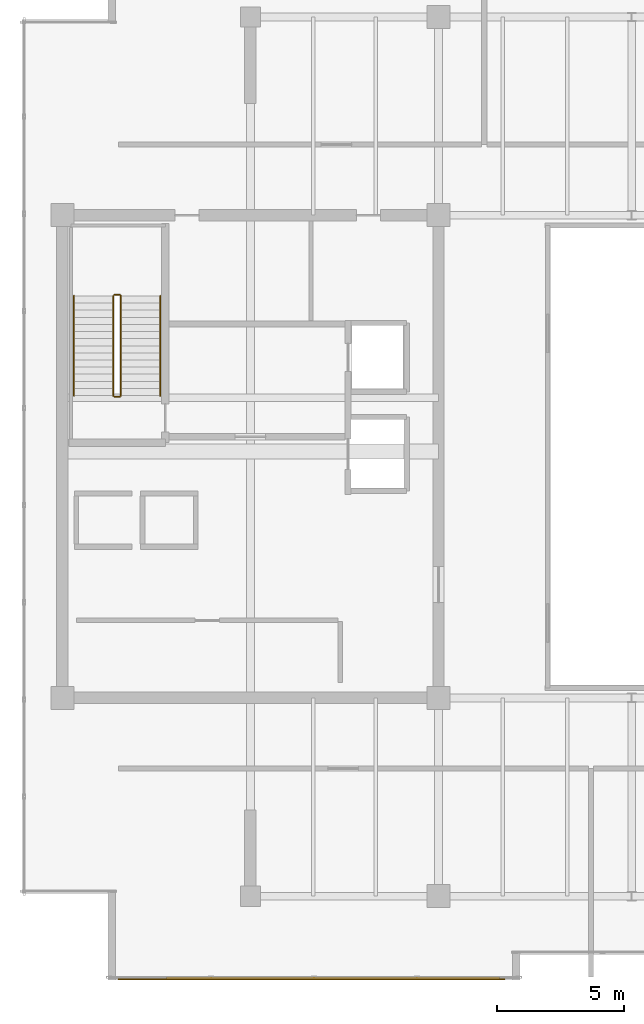
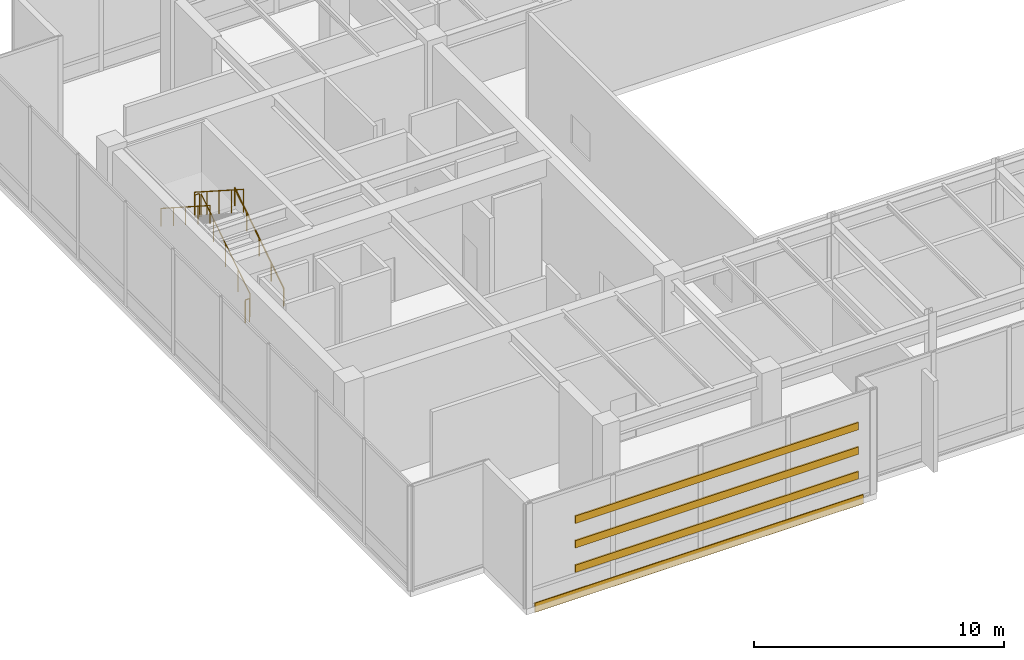
# One storey, part 28 of 30: 6 railings, 3 shading devices, 1 covering.
"""IFC4 building model written with IfcOpenShell, lengths in metres."""

from ifc_helpers import new_model, si_unit, direction, frame, frame_2d, origin, origin_2d, place, context, subcontext, project, spatial, rectangle, circle, extrude, source, transform, mapped, material, layer, layer_set, material_profile, profile_set, type_object, type_shapes, element, save


model = new_model("IFC4")

# Units and contexts
model_context = context("Model", 3, precision=1e-05, world=origin(), true_north=direction((0.0, 1.0)))
body_context = subcontext(model_context, "Body", "Model", "MODEL_VIEW")
ifc_project = project(units=[si_unit("LENGTHUNIT", "METRE"), si_unit("AREAUNIT", "SQUARE_METRE"), si_unit("VOLUMEUNIT", "CUBIC_METRE"), si_unit("PLANEANGLEUNIT", "RADIAN"), si_unit("MASSUNIT", "GRAM", prefix="KILO")], contexts=[model_context])

# Site, building, storey
site_placement = place(None, origin())
site = spatial("IfcSite", under=ifc_project, at=site_placement, CompositionType="ELEMENT")
building_placement = place(site_placement, origin())
building = spatial("IfcBuilding", under=site, at=building_placement, Name="Haelvirn Gate Laboratories", CompositionType="ELEMENT")
storey_placement = place(building_placement, frame((0.0, 0.0, 327.0)))
storey = spatial("IfcBuildingStorey", under=building, at=storey_placement, Name="L78", CompositionType="ELEMENT", Elevation=327.0)

# Covering
ifc_material_1 = material(Name="Anodised bronze honeycomb aluminium spandrel cladding", Category="aluminium")
ifc_layer = layer(ifc_material_1, 0.044921875, Name="COV-CLAD-BRZ")
ifc_layer_set = layer_set([ifc_layer], Name="Anodised bronze honeycomb aluminium spandrel cladding")
covering_type = type_object("IfcCoveringType", Name="COV-CLAD-BRZ", PredefinedType="CLADDING", material=ifc_layer_set)
covering_placement = place(storey_placement, frame((9.60009765625, 3.72998046875, -0.300048828125), z_axis=(0.0, 0.0, 1.0), x_axis=(1.0, 0.0, 0.0)))
element("IfcCovering", 1, at=covering_placement, inside=storey, type_object=covering_type, Name="L78 Bronze Slab-Edge Spandrel Cladding SW", PredefinedType="CLADDING", context=body_context, shape_type="SweptSolid", body=[
    extrude(rectangle(XDim=15.199951171875, YDim=0.044921875, at=frame_2d((7.60009765625, 0.0))), origin(), (0.0, 0.0, 1.0), 0.449951171875),
])

# Shading devices
ifc_material_2 = material(Name="Extruded aluminium 6063-T6 (anodised bronze)", Category="aluminium")
ifc_material_profile = material_profile(ifc_material_2, rectangle(XDim=0.080078125, YDim=0.360107421875, at=origin_2d()), Name="LOUV-360x80")
ifc_profile_set = profile_set([ifc_material_profile], Name="Extruded aluminium 6063-T6 (anodised bronze)")
shading_device_type = type_object("IfcShadingDeviceType", Name="SHD-LOUV-360", PredefinedType="USERDEFINED", material=ifc_profile_set)
shared_shape_1 = source(origin(), body_context, "Body", "SweptSolid", [
    extrude(rectangle(XDim=0.080078125, YDim=0.360107421875, at=origin_2d()), origin(), (0.0, 0.0, 1.0), 13.10009765625),
])
type_shapes(shading_device_type, [shared_shape_1])
for number, where, z_axis, x_axis, name in (
    (2, (11.5, 3.780029296875, 1.14990234375), (1.0, 0.0, 0.0), (0.0, 1.0, 0.0), "L78 South Acoustic Plant Louvre 1"),
    (3, (11.5, 3.780029296875, 2.35009765625), (1.0, 0.0, 0.0), (0.0, 1.0, 0.0), "L78 South Acoustic Plant Louvre 2"),
    (4, (11.5, 3.780029296875, 3.550048828125), (1.0, 0.0, 0.0), (0.0, 1.0, 0.0), "L78 South Acoustic Plant Louvre 3"),
):
    element("IfcShadingDevice", number, at=place(storey_placement, frame(where, z_axis=z_axis, x_axis=x_axis)), inside=storey, type_object=shading_device_type, Name=name, ObjectType="LOUVRE", PredefinedType="USERDEFINED", context=body_context, shape_type="MappedRepresentation", body=[
        mapped(shared_shape_1, transform((0.0, 0.0, 0.0), scale=1.0)),
    ])

# Railings
ifc_material_3 = material(Name="Galvanised steel SM355 & stainless top rail", Category="steel")
railing_type_1 = type_object("IfcRailingType", Name="RL-GUARD-1150", PredefinedType="GUARDRAIL", material=ifc_material_3)
shared_shape_2 = source(origin(), body_context, "Body", "SweptSolid", [
    extrude(circle(Radius=0.02392578125, at=origin_2d()), frame((0.0, 0.0, 1.1259765625), z_axis=(-1.0, 0.0, 0.0), x_axis=(0.0, -1.0, 0.0)), (0.0, 0.0, 1.0), 0.199951171875),
    extrude(circle(Radius=0.02099609375, at=origin_2d()), origin(), (0.0, 0.0, 1.0), 1.101806640625),
    extrude(circle(Radius=0.02099609375, at=origin_2d()), frame((-0.199951171875, 0.0, 0.0)), (0.0, 0.0, 1.0), 1.101806640625),
])
for number, where, name in (
    (5, (9.64990234375, 30.669921875, 2.699951171875), "L78 ST1 stair guard 2"),
    (6, (9.64990234375, 26.64990234375, 0.0), "L78 ST1 stair guard 4"),
):
    element("IfcRailing", number, at=place(storey_placement, frame(where)), inside=storey, type_object=railing_type_1, Name=name, PredefinedType="GUARDRAIL", context=body_context, shape_type="MappedRepresentation", body=[
        mapped(shared_shape_2, transform((0.0, 0.0, 0.0), scale=1.0)),
    ])
shared_shape_3 = source(origin(), body_context, "Body", "SweptSolid", [
    extrude(circle(Radius=0.02392578125, at=origin_2d()), frame((0.0, 0.0, 1.1259765625), z_axis=(0.0, 0.841186985886, 0.540744352514), x_axis=(-1.0, 0.0, 0.0)), (0.0, 0.0, 1.0), 4.660400390625),
    extrude(circle(Radius=0.02099609375, at=origin_2d()), origin(), (0.0, 0.0, 1.0), 1.101806640625),
    extrude(circle(Radius=0.02099609375, at=origin_2d()), frame((0.0, 0.97998046875, 0.6298828125)), (0.0, 0.0, 1.0), 1.101806640625),
    extrude(circle(Radius=0.02099609375, at=origin_2d()), frame((0.0, 1.9599609375, 1.260009765625)), (0.0, 0.0, 1.0), 1.101806640625),
    extrude(circle(Radius=0.02099609375, at=origin_2d()), frame((0.0, 2.940185546875, 1.89013671875)), (0.0, 0.0, 1.0), 1.101806640625),
    extrude(circle(Radius=0.02099609375, at=origin_2d()), frame((0.0, 3.920166015625, 2.52001953125)), (0.0, 0.0, 1.0), 1.101806640625),
])
railing_1_placement = place(storey_placement, frame((9.699951171875, 26.699951171875, 0.179931640625)))
element("IfcRailing", 7, at=railing_1_placement, inside=storey, type_object=railing_type_1, Name="L78 ST1 stair guard 1", PredefinedType="GUARDRAIL", context=body_context, shape_type="MappedRepresentation", body=[
    mapped(shared_shape_3, transform((0.0, 0.0, 0.0), scale=1.0)),
])
shared_shape_4 = source(origin(), body_context, "Body", "SweptSolid", [
    extrude(circle(Radius=0.02392578125, at=origin_2d()), frame((0.0, 0.0, 1.1259765625), z_axis=(0.0, -0.841186985886, 0.540744352514), x_axis=(1.0, 0.0, 0.0)), (0.0, 0.0, 1.0), 4.660400390625),
    extrude(circle(Radius=0.02099609375, at=origin_2d()), origin(), (0.0, 0.0, 1.0), 1.101806640625),
    extrude(circle(Radius=0.02099609375, at=origin_2d()), frame((0.0, -0.97998046875, 0.6298828125)), (0.0, 0.0, 1.0), 1.101806640625),
    extrude(circle(Radius=0.02099609375, at=origin_2d()), frame((0.0, -1.9599609375, 1.260009765625)), (0.0, 0.0, 1.0), 1.101806640625),
    extrude(circle(Radius=0.02099609375, at=origin_2d()), frame((0.0, -2.940185546875, 1.89013671875)), (0.0, 0.0, 1.0), 1.101806640625),
    extrude(circle(Radius=0.02099609375, at=origin_2d()), frame((0.0, -3.920166015625, 2.52001953125)), (0.0, 0.0, 1.0), 1.101806640625),
])
type_shapes(railing_type_1, [shared_shape_2, shared_shape_3, shared_shape_4])
railing_2_placement = place(storey_placement, frame((9.39990234375, 30.6201171875, 2.8798828125)))
element("IfcRailing", 8, at=railing_2_placement, inside=storey, type_object=railing_type_1, Name="L78 ST1 stair guard 3", PredefinedType="GUARDRAIL", context=body_context, shape_type="MappedRepresentation", body=[
    mapped(shared_shape_4, transform((0.0, 0.0, 0.0), scale=1.0)),
])
ifc_material_4 = material(Name="Brushed stainless steel 316L", Category="steel")
railing_type_2 = type_object("IfcRailingType", Name="RL-HAND-920", PredefinedType="HANDRAIL", material=ifc_material_4)
shared_shape_5 = source(origin(), body_context, "Body", "SweptSolid", [
    extrude(circle(Radius=0.02392578125, at=origin_2d()), frame((0.0, 0.0, 0.8759765625), z_axis=(0.0, 0.841186985886, 0.540744352514), x_axis=(-1.0, 0.0, 0.0)), (0.0, 0.0, 1.0), 4.660400390625),
    extrude(circle(Radius=0.02099609375, at=origin_2d()), origin(), (0.0, 0.0, 1.0), 0.851806640625),
    extrude(circle(Radius=0.02099609375, at=origin_2d()), frame((0.0, 0.97998046875, 0.6298828125)), (0.0, 0.0, 1.0), 0.851806640625),
    extrude(circle(Radius=0.02099609375, at=origin_2d()), frame((0.0, 1.9599609375, 1.260009765625)), (0.0, 0.0, 1.0), 0.851806640625),
    extrude(circle(Radius=0.02099609375, at=origin_2d()), frame((0.0, 2.940185546875, 1.89013671875)), (0.0, 0.0, 1.0), 0.851806640625),
    extrude(circle(Radius=0.02099609375, at=origin_2d()), frame((0.0, 3.920166015625, 2.52001953125)), (0.0, 0.0, 1.0), 0.851806640625),
])
railing_3_placement = place(storey_placement, frame((11.25, 26.699951171875, 0.179931640625)))
element("IfcRailing", 9, at=railing_3_placement, inside=storey, type_object=railing_type_2, Name="L78 ST1 stair handrail 1", PredefinedType="HANDRAIL", context=body_context, shape_type="MappedRepresentation", body=[
    mapped(shared_shape_5, transform((0.0, 0.0, 0.0), scale=1.0)),
])
shared_shape_6 = source(origin(), body_context, "Body", "SweptSolid", [
    extrude(circle(Radius=0.02392578125, at=origin_2d()), frame((0.0, 0.0, 0.8759765625), z_axis=(0.0, -0.841186985886, 0.540744352514), x_axis=(1.0, 0.0, 0.0)), (0.0, 0.0, 1.0), 4.660400390625),
    extrude(circle(Radius=0.02099609375, at=origin_2d()), origin(), (0.0, 0.0, 1.0), 0.851806640625),
    extrude(circle(Radius=0.02099609375, at=origin_2d()), frame((0.0, -0.97998046875, 0.6298828125)), (0.0, 0.0, 1.0), 0.851806640625),
    extrude(circle(Radius=0.02099609375, at=origin_2d()), frame((0.0, -1.9599609375, 1.260009765625)), (0.0, 0.0, 1.0), 0.851806640625),
    extrude(circle(Radius=0.02099609375, at=origin_2d()), frame((0.0, -2.940185546875, 1.89013671875)), (0.0, 0.0, 1.0), 0.851806640625),
    extrude(circle(Radius=0.02099609375, at=origin_2d()), frame((0.0, -3.920166015625, 2.52001953125)), (0.0, 0.0, 1.0), 0.851806640625),
])
type_shapes(railing_type_2, [shared_shape_5, shared_shape_6])
railing_4_placement = place(storey_placement, frame((7.85009765625, 30.6201171875, 2.8798828125)))
element("IfcRailing", 10, at=railing_4_placement, inside=storey, type_object=railing_type_2, Name="L78 ST1 stair handrail 2", PredefinedType="HANDRAIL", context=body_context, shape_type="MappedRepresentation", body=[
    mapped(shared_shape_6, transform((0.0, 0.0, 0.0), scale=1.0)),
])

save(model, "model.ifc")
